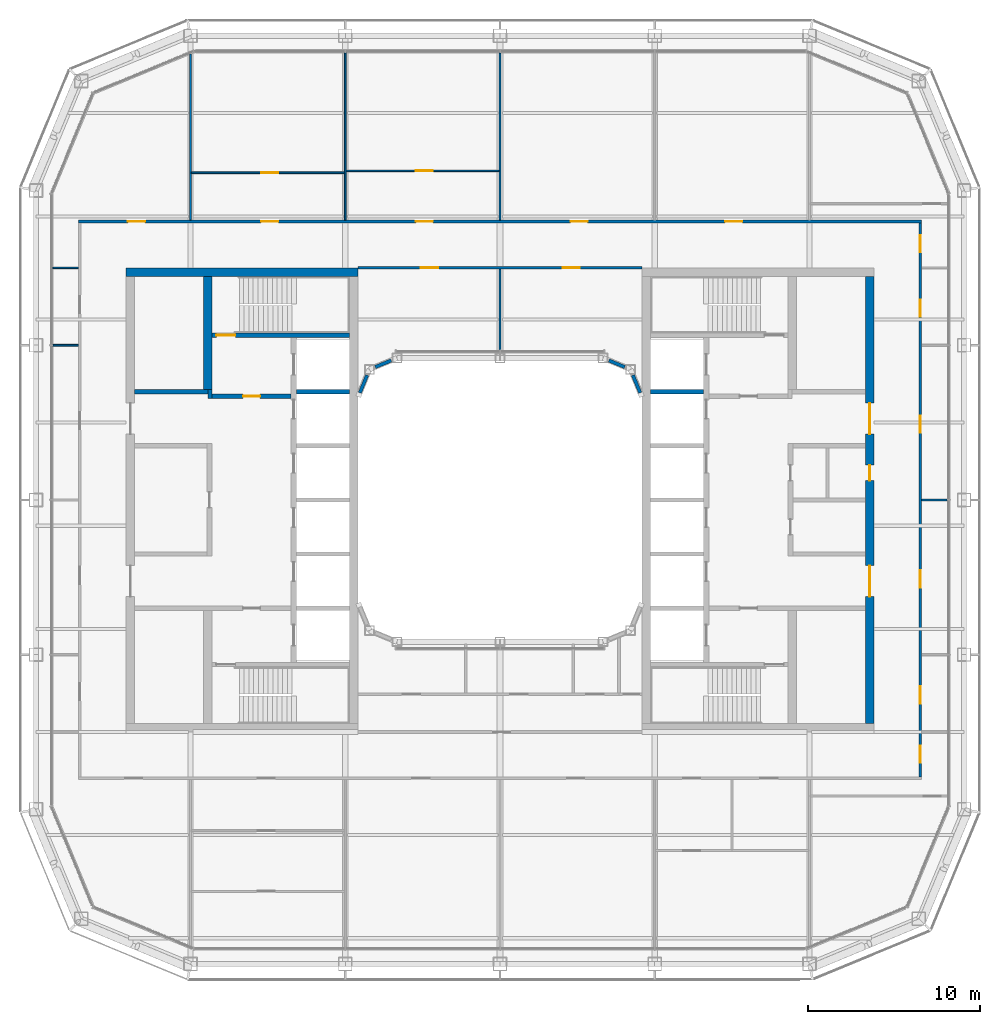
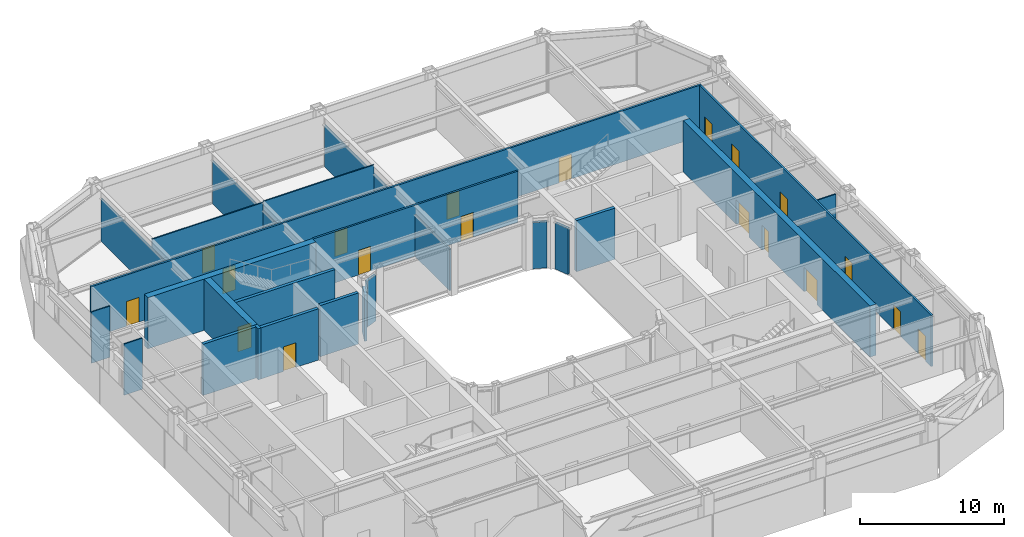
# One storey, part 14 of 19: 25 walls, 20 doors, 20 openings.
"""IFC4 building model written with IfcOpenShell, lengths in metres."""

import ifcopenshell
import ifcopenshell.guid

model = None  # the IFC model being written
_history = None  # IfcOwnerHistory: only IFC2X3 demands one
_inside = {}  # id of a spatial element -> (the spatial element, [elements in it])
_under = {}  # id of a project, library or spatial element -> (it, [spatial elements below it])
_declared = {}  # id of a project -> (the project, [libraries it declares])
_typed = {}  # id of a type object -> (the type object, [elements of that type])
_made_of = {}  # id of a material, layer set ... -> (it, [elements and type objects made of it])


def new_model(schema):
    """Start an empty IFC model of exactly this schema.

    Asked for "IFC4X3", IfcOpenShell would pick the latest addendum, in which some entities
    have other attributes; the version numbers below select the first issue.
    IFC2X3 requires an IfcOwnerHistory on every rooted entity: one is made here for all.
    """
    global model, _history
    if schema == "IFC4X3":
        model = ifcopenshell.file(schema_version=(4, 3, 0, 0))
    else:
        model = ifcopenshell.file(schema=schema)
    _inside.clear()
    _under.clear()
    _declared.clear()
    _typed.clear()
    _made_of.clear()
    _history = None
    if model.schema == "IFC2X3":
        org = make("IfcOrganization", Name="unknown")
        user = make(
            "IfcPersonAndOrganization",
            ThePerson=make("IfcPerson", FamilyName="unknown"),
            TheOrganization=org,
        )
        app = make(
            "IfcApplication",
            ApplicationDeveloper=org,
            Version="unknown",
            ApplicationFullName="unknown",
            ApplicationIdentifier="unknown",
        )
        _history = make(
            "IfcOwnerHistory",
            OwningUser=user,
            OwningApplication=app,
            ChangeAction="ADDED",
            CreationDate=0,
        )
    return model


def make(cls, **values):
    """One entity of the class cls with the attributes given. An attribute that is None is left unset."""
    return model.create_entity(
        cls, **{name: value for name, value in values.items() if value is not None}
    )


def rooted(cls, **values):
    """An entity with a GlobalId (a new one), such as an element, a storey or a relation."""
    return make(cls, GlobalId=ifcopenshell.guid.new(), OwnerHistory=_history, **values)


def si_unit(unit_type, name, prefix=None):
    """IfcSIUnit, for example si_unit("LENGTHUNIT", "METRE", prefix="MILLI")."""
    return make("IfcSIUnit", UnitType=unit_type, Prefix=prefix, Name=name)


def assignment(units):
    """IfcUnitAssignment: the units of a project."""
    return None if units is None else make("IfcUnitAssignment", Units=units)


def point(xyz):
    """IfcCartesianPoint."""
    return None if xyz is None else make("IfcCartesianPoint", Coordinates=xyz)


def direction(xyz):
    """IfcDirection."""
    return None if xyz is None else make("IfcDirection", DirectionRatios=xyz)


def frame(location, z_axis=None, x_axis=None):
    """IfcAxis2Placement3D, a coordinate frame: its origin and axes. An axis left out is left unset."""
    return make(
        "IfcAxis2Placement3D",
        Location=point(location),
        Axis=direction(z_axis),
        RefDirection=direction(x_axis),
    )


def frame_2d(location, x_axis=None):
    """IfcAxis2Placement2D, a coordinate frame in the plane: its origin and x axis."""
    return make(
        "IfcAxis2Placement2D", Location=point(location), RefDirection=direction(x_axis)
    )


def origin():
    """The frame at (0, 0, 0) with its axes left unset."""
    return frame((0.0, 0.0, 0.0))


def place(relative_to, where):
    """IfcLocalPlacement: puts the frame where relative to a parent placement (None: the world)."""
    return make(
        "IfcLocalPlacement", PlacementRelTo=relative_to, RelativePlacement=where
    )


def context(
    kind, dimensions, precision=None, world=None, true_north=None, identifier=None
):
    """IfcGeometricRepresentationContext, for example the 3D "Model" context."""
    return make(
        "IfcGeometricRepresentationContext",
        ContextIdentifier=identifier,
        ContextType=kind,
        CoordinateSpaceDimension=dimensions,
        Precision=precision,
        WorldCoordinateSystem=world,
        TrueNorth=true_north,
    )


def subcontext(parent, identifier, kind, view, scale=None):
    """IfcGeometricRepresentationSubContext, for example "Body" below "Model"."""
    return make(
        "IfcGeometricRepresentationSubContext",
        ContextIdentifier=identifier,
        ContextType=kind,
        ParentContext=parent,
        TargetScale=scale,
        TargetView=view,
    )


def project(units=None, contexts=None):
    """IfcProject with its units and contexts."""
    return rooted(
        "IfcProject",
        Name="project",
        RepresentationContexts=contexts,
        UnitsInContext=assignment(units),
    )


def spatial(cls, under=None, at=None, **own):
    """A site, building, storey or space (cls), placed at a placement, below another one or the project."""
    s = rooted(cls, ObjectPlacement=at, **own)
    if under is not None:
        _under.setdefault(under.id(), (under, []))[1].append(s)
    return s


def profile(cls, at=None, kind="AREA", **sizes):
    """A parametric profile (cls). Its sizes go by their IFC names, for example OverallWidth=200.0."""
    return make(cls, ProfileType=kind, Position=at, **sizes)


def rectangle(**sizes):
    """IfcRectangleProfileDef."""
    return profile("IfcRectangleProfileDef", **sizes)


def extrude(swept, where, along, depth):
    """IfcExtrudedAreaSolid: the profile swept, set in the frame where, extruded along a direction by depth."""
    return make(
        "IfcExtrudedAreaSolid",
        SweptArea=swept,
        Position=where,
        ExtrudedDirection=direction(along),
        Depth=depth,
    )


def shape(context_of_items, identifier, shape_type, items):
    """IfcShapeRepresentation: the items that make up one representation, for example the "Body"."""
    return make(
        "IfcShapeRepresentation",
        ContextOfItems=context_of_items,
        RepresentationIdentifier=identifier,
        RepresentationType=shape_type,
        Items=items,
    )


def material(Name=None, Category=None):
    """IfcMaterial."""
    return make("IfcMaterial", Name=Name, Category=Category)


def layer(
    of_material, thickness, ventilated=None, Name=None, Category=None, Priority=None
):
    """IfcMaterialLayer: one layer of a wall or slab, of a material (None: an air gap)."""
    return make(
        "IfcMaterialLayer",
        Material=of_material,
        LayerThickness=thickness,
        IsVentilated=ventilated,
        Name=Name,
        Category=Category,
        Priority=Priority,
    )


def layer_set(layers, Name=None):
    """IfcMaterialLayerSet."""
    return make("IfcMaterialLayerSet", MaterialLayers=layers, LayerSetName=Name)


def made_of(thing, what):
    """Note that an element or type object is made of a material, layer set ...; save() writes the relation."""
    if what is not None:
        _made_of.setdefault(what.id(), (what, []))[1].append(thing)
    return thing


def type_object(cls, material=None, **own):
    """A type object (cls), such as IfcWallType, which elements share."""
    return made_of(rooted(cls, **own), material)


def element(
    cls,
    number,
    at=None,
    inside=None,
    cuts=None,
    type_object=None,
    material=None,
    context=None,
    identifier="Body",
    shape_type=None,
    held_by="IfcProductDefinitionShape",
    body=None,
    shapes=None,
    **own,
):
    """One element of the class cls, such as IfcWall. Its Tag is "e" and its number.

    at: its placement. inside: the storey or other place that contains it. cuts: it is an
    opening in that element (IfcRelVoidsElement). A single representation is given by context,
    identifier, shape_type and body (its items); several are given by shapes. held_by: the class
    of the entity that holds the representations. save() writes the other relations.
    """
    e = rooted(cls, Tag="e%d" % number, ObjectPlacement=at, **own)
    if body is not None:
        shapes = [shape(context, identifier, shape_type, body)]
    if shapes is not None:
        e.Representation = make(held_by, Representations=shapes)
    if inside is not None:
        _inside.setdefault(inside.id(), (inside, []))[1].append(e)
    if cuts is not None:
        rooted(
            "IfcRelVoidsElement", RelatingBuildingElement=cuts, RelatedOpeningElement=e
        )
    if type_object is not None:
        _typed.setdefault(type_object.id(), (type_object, []))[1].append(e)
    return made_of(e, material)


def fill(opening, filler):
    """IfcRelFillsElement: the door or window that sits in an opening."""
    return rooted(
        "IfcRelFillsElement",
        RelatingOpeningElement=opening,
        RelatedBuildingElement=filler,
    )


def aggregate(whole, parts):
    """IfcRelAggregates: a whole, such as a stair, and the parts it consists of."""
    return rooted("IfcRelAggregates", RelatingObject=whole, RelatedObjects=parts)


def save(model, path):
    """Write the relations noted so far, then the file.

    IfcRelAggregates (storeys below a building ...), IfcRelContainedInSpatialStructure (elements
    in a storey), IfcRelDefinesByType, IfcRelAssociatesMaterial and IfcRelDeclares: one each for
    every whole, place, type object, material and project.
    """
    for whole, parts in _under.values():
        aggregate(whole, parts)
    for where, things in _inside.values():
        rooted(
            "IfcRelContainedInSpatialStructure",
            RelatedElements=things,
            RelatingStructure=where,
        )
    for kind, things in _typed.values():
        rooted("IfcRelDefinesByType", RelatedObjects=things, RelatingType=kind)
    for what, things in _made_of.values():
        rooted("IfcRelAssociatesMaterial", RelatedObjects=things, RelatingMaterial=what)
    for by, libraries in _declared.values():
        rooted("IfcRelDeclares", RelatingContext=by, RelatedDefinitions=libraries)
    model.write(path)


model = new_model("IFC4")

# Units and contexts
model_context = context("Model", 3, precision=1e-05, world=origin(), true_north=direction((0.0, 1.0)))
body_context = subcontext(model_context, "Body", "Model", "MODEL_VIEW")
ifc_project = project(units=[si_unit("LENGTHUNIT", "METRE"), si_unit("AREAUNIT", "SQUARE_METRE"), si_unit("VOLUMEUNIT", "CUBIC_METRE"), si_unit("PLANEANGLEUNIT", "RADIAN"), si_unit("MASSUNIT", "GRAM", prefix="KILO")], contexts=[model_context])

# Site, building, storey
site_placement = place(None, origin())
site = spatial("IfcSite", under=ifc_project, at=site_placement, CompositionType="ELEMENT")
building_placement = place(site_placement, origin())
building = spatial("IfcBuilding", under=site, at=building_placement, Name="Siwar Civic Tower", CompositionType="ELEMENT")
storey_placement = place(building_placement, frame((0.0, 0.0, 264.699951171875)))
storey = spatial("IfcBuildingStorey", under=building, at=storey_placement, Name="L57", CompositionType="ELEMENT", Elevation=264.699951171875)

# Wall, opening, door
ifc_material_1 = material(Name="Concrete C60/75", Category="concrete")
ifc_layer_1 = layer(ifc_material_1, 0.25)
ifc_layer_set_1 = layer_set([ifc_layer_1], Name="Concrete C60/75")
wall_type_1 = type_object("IfcWallType", Name="CORE-WALL-RC250", PredefinedType="SHEAR", material=ifc_layer_set_1)
wall_1_placement = place(storey_placement, frame((-12.14990234375, 6.02490234375, 0.0), z_axis=(0.0, 0.0, 1.0), x_axis=(-1.0, 0.0, 0.0)))
wall_1 = element("IfcWall", 1, at=wall_1_placement, inside=storey, type_object=wall_type_1, Name="Core wall W", PredefinedType="SHEAR", context=body_context, shape_type="SweptSolid", body=[
    extrude(rectangle(XDim=4.60009765625, YDim=0.25, at=frame_2d((2.300048828125, 0.0))), origin(), (0.0, 0.0, 1.0), 4.35009765625),
])
opening_1_placement = place(wall_1_placement, frame((1.800048828125, 0.0, 0.0)))
opening_1 = element("IfcOpeningElement", 2, at=opening_1_placement, cuts=wall_1, Name="Opening L57-CW01", PredefinedType="OPENING", context=body_context, shape_type="SweptSolid", body=[
    extrude(rectangle(XDim=1.0, YDim=2.10009765625, at=frame_2d((0.5, 1.050048828125))), frame((0.0, 0.135009765625, 0.0), z_axis=(0.0, -1.0, 0.0), x_axis=(1.0, 0.0, 0.0)), (0.0, 0.0, 1.0), 0.27001953125),
])
ifc_material_2 = material(Name="Steel door leaf", Category="steel")
door_type_1 = type_object("IfcDoorType", Name="CORE-DOOR-FD30S", OperationType="SINGLE_SWING_LEFT", PredefinedType="DOOR", material=ifc_material_2)
door_1_placement = place(opening_1_placement, origin())
door_1 = element("IfcDoor", 3, at=door_1_placement, inside=storey, type_object=door_type_1, Name="Firefighting lobby door L57-CW01", OperationType="SINGLE_SWING_LEFT", OverallHeight=2.10009765625, OverallWidth=1.0, PredefinedType="DOOR", context=body_context, shape_type="SweptSolid", body=[
    extrude(rectangle(XDim=1.0, YDim=2.10009765625, at=frame_2d((0.5, 1.050048828125))), frame((0.0, 0.02490234375, 0.0), z_axis=(0.0, -1.0, 0.0), x_axis=(1.0, 0.0, 0.0)), (0.0, 0.0, 1.0), 0.050048828125),
])
fill(opening_1, door_1)

# Walls
wall_2_placement = place(storey_placement, frame((-16.875, 5.89990234375, 0.0), z_axis=(0.0, 0.0, 1.0), x_axis=(0.0, 1.0, 0.0)))
element("IfcWall", 4, at=wall_2_placement, inside=storey, type_object=wall_type_1, Name="Core wall W", PredefinedType="SHEAR", context=body_context, shape_type="SweptSolid", body=[
    extrude(rectangle(XDim=0.525146484375, YDim=0.25, at=frame_2d((0.2626953125, 0.0))), origin(), (0.0, 0.0, 1.0), 4.35009765625),
])
wall_3_placement = place(storey_placement, frame((-17.0, 6.300048828125, 0.0), z_axis=(0.0, 0.0, 1.0), x_axis=(-1.0, 0.0, 0.0)))
element("IfcWall", 5, at=wall_3_placement, inside=storey, type_object=wall_type_1, Name="Core wall W", PredefinedType="SHEAR", context=body_context, shape_type="SweptSolid", body=[
    extrude(rectangle(XDim=4.25, YDim=0.25, at=frame_2d((2.125, 0.0))), origin(), (0.0, 0.0, 1.0), 4.35009765625),
])
wall_4_placement = place(storey_placement, frame((-8.75, 6.300048828125, 0.0), z_axis=(0.0, 0.0, 1.0), x_axis=(-1.0, 0.0, 0.0)))
element("IfcWall", 6, at=wall_4_placement, inside=storey, type_object=wall_type_1, Name="Core wall W", PredefinedType="SHEAR", context=body_context, shape_type="SweptSolid", body=[
    extrude(rectangle(XDim=3.10009765625, YDim=0.25, at=frame_2d((1.550048828125, 0.0))), origin(), (0.0, 0.0, 1.0), 4.35009765625),
])

# Wall, opening, door
wall_5_placement = place(storey_placement, frame((-8.75, 9.574951171875, 0.0), z_axis=(0.0, 0.0, 1.0), x_axis=(-1.0, 0.0, 0.0)))
wall_5 = element("IfcWall", 7, at=wall_5_placement, inside=storey, type_object=wall_type_1, Name="Core wall W", PredefinedType="SHEAR", context=body_context, shape_type="SweptSolid", body=[
    extrude(rectangle(XDim=8.0, YDim=0.25, at=frame_2d((4.0, 0.0))), origin(), (0.0, 0.0, 1.0), 4.35009765625),
])
opening_2_placement = place(wall_5_placement, frame((6.64990234375, 0.0, 0.0)))
opening_2 = element("IfcOpeningElement", 8, at=opening_2_placement, cuts=wall_5, Name="Opening L57-CW03", PredefinedType="OPENING", context=body_context, shape_type="SweptSolid", body=[
    extrude(rectangle(XDim=1.10009765625, YDim=2.10009765625, at=frame_2d((0.550048828125, 1.050048828125))), frame((0.0, 0.135009765625, 0.0), z_axis=(0.0, -1.0, 0.0), x_axis=(1.0, 0.0, 0.0)), (0.0, 0.0, 1.0), 0.27001953125),
])
ifc_material_3 = material(Name="Steel door leaf", Category="steel")
door_type_2 = type_object("IfcDoorType", Name="CORE-DOOR-FD60S", OperationType="SINGLE_SWING_LEFT", PredefinedType="DOOR", material=ifc_material_3)
door_2_placement = place(opening_2_placement, origin())
door_2 = element("IfcDoor", 9, at=door_2_placement, inside=storey, type_object=door_type_2, Name="Stair door L57-CW03", OperationType="SINGLE_SWING_RIGHT", OverallHeight=2.10009765625, OverallWidth=1.10009765625, PredefinedType="DOOR", context=body_context, shape_type="SweptSolid", body=[
    extrude(rectangle(XDim=1.10009765625, YDim=2.10009765625, at=frame_2d((0.550048828125, 1.050048828125))), frame((0.0, 0.02490234375, 0.0), z_axis=(0.0, -1.0, 0.0), x_axis=(1.0, 0.0, 0.0)), (0.0, 0.0, 1.0), 0.050048828125),
])
fill(opening_2, door_2)

# Walls
wall_6_placement = place(storey_placement, frame((8.75, 6.300048828125, 0.0), z_axis=(0.0, 0.0, 1.0), x_axis=(1.0, 0.0, 0.0)))
element("IfcWall", 10, at=wall_6_placement, inside=storey, type_object=wall_type_1, Name="Core wall E", PredefinedType="SHEAR", context=body_context, shape_type="SweptSolid", body=[
    extrude(rectangle(XDim=3.10009765625, YDim=0.25, at=frame_2d((1.550048828125, 0.0))), origin(), (0.0, 0.0, 1.0), 4.35009765625),
])
ifc_material_4 = material(Name="Concrete C60/75", Category="concrete")
ifc_layer_2 = layer(ifc_material_4, 0.5)
ifc_layer_set_2 = layer_set([ifc_layer_2], Name="Concrete C60/75")
wall_type_2 = type_object("IfcWallType", Name="CORE-WALL-RC500", PredefinedType="SHEAR", material=ifc_layer_set_2)
wall_7_placement = place(storey_placement, frame((-17.0, 6.425048828125, 0.0), z_axis=(0.0, 0.0, 1.0), x_axis=(0.0, 1.0, 0.0)))
element("IfcWall", 11, at=wall_7_placement, inside=storey, type_object=wall_type_2, Name="Core wall W", PredefinedType="SHEAR", context=body_context, shape_type="SweptSolid", body=[
    extrude(rectangle(XDim=6.574951171875, YDim=0.5, at=frame_2d((3.28759765625, 0.0))), origin(), (0.0, 0.0, 1.0), 4.35009765625),
])
wall_8_placement = place(storey_placement, frame((-8.25, 13.25, 0.0), z_axis=(0.0, 0.0, 1.0), x_axis=(-1.0, 0.0, 0.0)))
element("IfcWall", 12, at=wall_8_placement, inside=storey, type_object=wall_type_2, Name="Core wall W", PredefinedType="SHEAR", context=body_context, shape_type="SweptSolid", body=[
    extrude(rectangle(XDim=13.5, YDim=0.5, at=frame_2d((6.75, 0.0))), origin(), (0.0, 0.0, 1.0), 4.35009765625),
])

# Wall, openings, doors
wall_9_placement = place(storey_placement, frame((21.5, -13.0, 0.0), z_axis=(0.0, 0.0, 1.0), x_axis=(0.0, 1.0, 0.0)))
wall_9 = element("IfcWall", 13, at=wall_9_placement, inside=storey, type_object=wall_type_2, Name="Core wall E", PredefinedType="SHEAR", context=body_context, shape_type="SweptSolid", body=[
    extrude(rectangle(XDim=26.0, YDim=0.5, at=frame_2d((13.0, 0.0))), origin(), (0.0, 0.0, 1.0), 4.35009765625),
])
opening_3_placement = place(wall_9_placement, frame((16.824951171875, 0.0, 0.0)))
opening_3 = element("IfcOpeningElement", 14, at=opening_3_placement, cuts=wall_9, Name="Opening L57-CE05", PredefinedType="OPENING", context=body_context, shape_type="SweptSolid", body=[
    extrude(rectangle(XDim=1.800048828125, YDim=2.10009765625, at=frame_2d((0.89990234375, 1.050048828125))), frame((0.0, 0.260009765625, 0.0), z_axis=(0.0, -1.0, 0.0), x_axis=(1.0, 0.0, 0.0)), (0.0, 0.0, 1.0), 0.52001953125),
])
opening_4_placement = place(wall_9_placement, frame((7.375, 0.0, 0.0)))
opening_4 = element("IfcOpeningElement", 15, at=opening_4_placement, cuts=wall_9, Name="Opening L57-CE06", PredefinedType="OPENING", context=body_context, shape_type="SweptSolid", body=[
    extrude(rectangle(XDim=1.800048828125, YDim=2.10009765625, at=frame_2d((0.89990234375, 1.050048828125))), frame((0.0, 0.260009765625, 0.0), z_axis=(0.0, -1.0, 0.0), x_axis=(1.0, 0.0, 0.0)), (0.0, 0.0, 1.0), 0.52001953125),
])
opening_5_placement = place(wall_9_placement, frame((14.125, 0.0, 0.0)))
opening_5 = element("IfcOpeningElement", 16, at=opening_5_placement, cuts=wall_9, Name="Opening L57-CE15", PredefinedType="OPENING", context=body_context, shape_type="SweptSolid", body=[
    extrude(rectangle(XDim=0.89990234375, YDim=2.10009765625, at=frame_2d((0.449951171875, 1.050048828125))), frame((0.0, 0.260009765625, 0.0), z_axis=(0.0, -1.0, 0.0), x_axis=(1.0, 0.0, 0.0)), (0.0, 0.0, 1.0), 0.52001953125),
])
ifc_material_5 = material(Name="Steel door leaf", Category="steel")
door_type_3 = type_object("IfcDoorType", Name="CORE-DOOR-PORT", OperationType="DOUBLE_DOOR_DOUBLE_SWING", PredefinedType="DOOR", material=ifc_material_5)
door_3_placement = place(opening_3_placement, origin())
door_3 = element("IfcDoor", 17, at=door_3_placement, inside=storey, type_object=door_type_3, Name="Core entrance door L57-CE05", OperationType="DOUBLE_DOOR_DOUBLE_SWING", OverallHeight=2.10009765625, OverallWidth=1.800048828125, PredefinedType="DOOR", context=body_context, shape_type="SweptSolid", body=[
    extrude(rectangle(XDim=1.800048828125, YDim=2.10009765625, at=frame_2d((0.89990234375, 1.050048828125))), frame((0.0, 0.02490234375, 0.0), z_axis=(0.0, -1.0, 0.0), x_axis=(1.0, 0.0, 0.0)), (0.0, 0.0, 1.0), 0.050048828125),
])
fill(opening_3, door_3)
door_4_placement = place(opening_4_placement, origin())
door_4 = element("IfcDoor", 18, at=door_4_placement, inside=storey, type_object=door_type_3, Name="Core entrance door L57-CE06", OperationType="DOUBLE_DOOR_DOUBLE_SWING", OverallHeight=2.10009765625, OverallWidth=1.800048828125, PredefinedType="DOOR", context=body_context, shape_type="SweptSolid", body=[
    extrude(rectangle(XDim=1.800048828125, YDim=2.10009765625, at=frame_2d((0.89990234375, 1.050048828125))), frame((0.0, 0.02490234375, 0.0), z_axis=(0.0, -1.0, 0.0), x_axis=(1.0, 0.0, 0.0)), (0.0, 0.0, 1.0), 0.050048828125),
])
fill(opening_4, door_4)
ifc_material_6 = material(Name="Steel door leaf", Category="steel")
door_type_4 = type_object("IfcDoorType", Name="CORE-DOOR-ROOM", OperationType="SINGLE_SWING_LEFT", PredefinedType="DOOR", material=ifc_material_6)
door_5_placement = place(opening_5_placement, origin())
door_5 = element("IfcDoor", 19, at=door_5_placement, inside=storey, type_object=door_type_4, Name="Core room door L57-CE15", OperationType="SINGLE_SWING_RIGHT", OverallHeight=2.10009765625, OverallWidth=0.89990234375, PredefinedType="DOOR", context=body_context, shape_type="SweptSolid", body=[
    extrude(rectangle(XDim=0.89990234375, YDim=2.10009765625, at=frame_2d((0.449951171875, 1.050048828125))), frame((0.0, 0.02490234375, 0.0), z_axis=(0.0, -1.0, 0.0), x_axis=(1.0, 0.0, 0.0)), (0.0, 0.0, 1.0), 0.050048828125),
])
fill(opening_5, door_5)

ifc_material_7 = material(Name="Gypsum board on steel studs", Category="steel")
ifc_layer_3 = layer(ifc_material_7, 0.14990234375)
ifc_layer_set_3 = layer_set([ifc_layer_3], Name="Gypsum board on steel studs")
wall_type_3 = type_object("IfcWallType", Name="CORRIDOR PARTITION 150 EI 30", PredefinedType="PARTITIONING", material=ifc_layer_set_3)
wall_10_placement = place(storey_placement, frame((-8.25, 13.5, 0.0), z_axis=(0.0, 0.0, 1.0), x_axis=(1.0, 0.0, 0.0)))
wall_10 = element("IfcWall", 20, at=wall_10_placement, inside=storey, type_object=wall_type_3, Name="L57/wall/P19", PredefinedType="PARTITIONING", context=body_context, shape_type="SweptSolid", body=[
    extrude(rectangle(XDim=16.5, YDim=0.14990234375, at=frame_2d((8.25, 0.0))), origin(), (0.0, 0.0, 1.0), 4.35009765625),
])
opening_6_placement = place(wall_10_placement, frame((3.64990234375, 0.0, 0.0)))
opening_6 = element("IfcOpeningElement", 21, at=opening_6_placement, cuts=wall_10, Name="Opening D1", PredefinedType="OPENING", context=body_context, shape_type="SweptSolid", body=[
    extrude(rectangle(XDim=1.0, YDim=2.10009765625, at=frame_2d((0.5, 1.050048828125))), frame((0.0, 0.0849609375, 0.0), z_axis=(0.0, -1.0, 0.0), x_axis=(1.0, 0.0, 0.0)), (0.0, 0.0, 1.0), 0.169921875),
])
opening_7_placement = place(wall_10_placement, frame((11.89990234375, 0.0, 0.0)))
opening_7 = element("IfcOpeningElement", 22, at=opening_7_placement, cuts=wall_10, Name="Opening D1", PredefinedType="OPENING", context=body_context, shape_type="SweptSolid", body=[
    extrude(rectangle(XDim=1.0, YDim=2.10009765625, at=frame_2d((0.5, 1.050048828125))), frame((0.0, 0.0849609375, 0.0), z_axis=(0.0, -1.0, 0.0), x_axis=(1.0, 0.0, 0.0)), (0.0, 0.0, 1.0), 0.169921875),
])
ifc_material_8 = material(Name="Timber, painted", Category="wood")
door_type_5 = type_object("IfcDoorType", Name="DOOR 1000 X 2100 FD30", OperationType="SINGLE_SWING_LEFT", PredefinedType="DOOR", material=ifc_material_8)
door_6_placement = place(opening_6_placement, origin())
door_6 = element("IfcDoor", 23, at=door_6_placement, inside=storey, type_object=door_type_5, Name="L57-D29", OperationType="SINGLE_SWING_LEFT", OverallHeight=2.10009765625, OverallWidth=1.0, PredefinedType="DOOR", context=body_context, shape_type="SweptSolid", body=[
    extrude(rectangle(XDim=1.0, YDim=2.10009765625, at=frame_2d((0.5, 1.050048828125))), frame((0.0, 0.02490234375, 0.0), z_axis=(0.0, -1.0, 0.0), x_axis=(1.0, 0.0, 0.0)), (0.0, 0.0, 1.0), 0.050048828125),
])
fill(opening_6, door_6)
door_7_placement = place(opening_7_placement, origin())
door_7 = element("IfcDoor", 24, at=door_7_placement, inside=storey, type_object=door_type_5, Name="L57-D30", OperationType="SINGLE_SWING_RIGHT", OverallHeight=2.10009765625, OverallWidth=1.0, PredefinedType="DOOR", context=body_context, shape_type="SweptSolid", body=[
    extrude(rectangle(XDim=1.0, YDim=2.10009765625, at=frame_2d((0.5, 1.050048828125))), frame((0.0, 0.02490234375, 0.0), z_axis=(0.0, -1.0, 0.0), x_axis=(1.0, 0.0, 0.0)), (0.0, 0.0, 1.0), 0.050048828125),
])
fill(opening_7, door_7)

wall_11_placement = place(storey_placement, frame((-24.52490234375, 16.199951171875, 0.0), z_axis=(0.0, 0.0, 1.0), x_axis=(1.0, 0.0, 0.0)))
wall_11 = element("IfcWall", 25, at=wall_11_placement, inside=storey, type_object=wall_type_3, Name="L57/wall/P20", PredefinedType="PARTITIONING", context=body_context, shape_type="SweptSolid", body=[
    extrude(rectangle(XDim=49.0498046875, YDim=0.14990234375, at=frame_2d((24.52490234375, 0.0))), origin(), (0.0, 0.0, 1.0), 4.35009765625),
])
opening_8_placement = place(wall_11_placement, frame((10.625, 0.0, 0.0)))
opening_8 = element("IfcOpeningElement", 26, at=opening_8_placement, cuts=wall_11, Name="Opening D1", PredefinedType="OPENING", context=body_context, shape_type="SweptSolid", body=[
    extrude(rectangle(XDim=1.0, YDim=2.10009765625, at=frame_2d((0.5, 1.050048828125))), frame((0.0, 0.0849609375, 0.0), z_axis=(0.0, -1.0, 0.0), x_axis=(1.0, 0.0, 0.0)), (0.0, 0.0, 1.0), 0.169921875),
])
opening_9_placement = place(wall_11_placement, frame((19.625, 0.0, 0.0)))
opening_9 = element("IfcOpeningElement", 27, at=opening_9_placement, cuts=wall_11, Name="Opening D1", PredefinedType="OPENING", context=body_context, shape_type="SweptSolid", body=[
    extrude(rectangle(XDim=1.0, YDim=2.10009765625, at=frame_2d((0.5, 1.050048828125))), frame((0.0, 0.0849609375, 0.0), z_axis=(0.0, -1.0, 0.0), x_axis=(1.0, 0.0, 0.0)), (0.0, 0.0, 1.0), 0.169921875),
])
opening_10_placement = place(wall_11_placement, frame((28.625, 0.0, 0.0)))
opening_10 = element("IfcOpeningElement", 28, at=opening_10_placement, cuts=wall_11, Name="Opening D1", PredefinedType="OPENING", context=body_context, shape_type="SweptSolid", body=[
    extrude(rectangle(XDim=1.0, YDim=2.10009765625, at=frame_2d((0.5, 1.050048828125))), frame((0.0, 0.0849609375, 0.0), z_axis=(0.0, -1.0, 0.0), x_axis=(1.0, 0.0, 0.0)), (0.0, 0.0, 1.0), 0.169921875),
])
opening_11_placement = place(wall_11_placement, frame((37.625, 0.0, 0.0)))
opening_11 = element("IfcOpeningElement", 29, at=opening_11_placement, cuts=wall_11, Name="Opening D1", PredefinedType="OPENING", context=body_context, shape_type="SweptSolid", body=[
    extrude(rectangle(XDim=1.0, YDim=2.10009765625, at=frame_2d((0.5, 1.050048828125))), frame((0.0, 0.0849609375, 0.0), z_axis=(0.0, -1.0, 0.0), x_axis=(1.0, 0.0, 0.0)), (0.0, 0.0, 1.0), 0.169921875),
])
opening_12_placement = place(wall_11_placement, frame((2.875, 0.0, 0.0)))
opening_12 = element("IfcOpeningElement", 30, at=opening_12_placement, cuts=wall_11, Name="Opening D1", PredefinedType="OPENING", context=body_context, shape_type="SweptSolid", body=[
    extrude(rectangle(XDim=1.0, YDim=2.10009765625, at=frame_2d((0.5, 1.050048828125))), frame((0.0, 0.0849609375, 0.0), z_axis=(0.0, -1.0, 0.0), x_axis=(1.0, 0.0, 0.0)), (0.0, 0.0, 1.0), 0.169921875),
])
door_8_placement = place(opening_8_placement, origin())
door_8 = element("IfcDoor", 31, at=door_8_placement, inside=storey, type_object=door_type_5, Name="L57-D01", OperationType="SINGLE_SWING_LEFT", OverallHeight=2.10009765625, OverallWidth=1.0, PredefinedType="DOOR", context=body_context, shape_type="SweptSolid", body=[
    extrude(rectangle(XDim=1.0, YDim=2.10009765625, at=frame_2d((0.5, 1.050048828125))), frame((0.0, 0.02490234375, 0.0), z_axis=(0.0, -1.0, 0.0), x_axis=(1.0, 0.0, 0.0)), (0.0, 0.0, 1.0), 0.050048828125),
])
fill(opening_8, door_8)
door_9_placement = place(opening_9_placement, origin())
door_9 = element("IfcDoor", 32, at=door_9_placement, inside=storey, type_object=door_type_5, Name="L57-D03", OperationType="SINGLE_SWING_LEFT", OverallHeight=2.10009765625, OverallWidth=1.0, PredefinedType="DOOR", context=body_context, shape_type="SweptSolid", body=[
    extrude(rectangle(XDim=1.0, YDim=2.10009765625, at=frame_2d((0.5, 1.050048828125))), frame((0.0, 0.02490234375, 0.0), z_axis=(0.0, -1.0, 0.0), x_axis=(1.0, 0.0, 0.0)), (0.0, 0.0, 1.0), 0.050048828125),
])
fill(opening_9, door_9)
door_10_placement = place(opening_10_placement, origin())
door_10 = element("IfcDoor", 33, at=door_10_placement, inside=storey, type_object=door_type_5, Name="L57-D05", OperationType="SINGLE_SWING_LEFT", OverallHeight=2.10009765625, OverallWidth=1.0, PredefinedType="DOOR", context=body_context, shape_type="SweptSolid", body=[
    extrude(rectangle(XDim=1.0, YDim=2.10009765625, at=frame_2d((0.5, 1.050048828125))), frame((0.0, 0.02490234375, 0.0), z_axis=(0.0, -1.0, 0.0), x_axis=(1.0, 0.0, 0.0)), (0.0, 0.0, 1.0), 0.050048828125),
])
fill(opening_10, door_10)
door_11_placement = place(opening_11_placement, origin())
door_11 = element("IfcDoor", 34, at=door_11_placement, inside=storey, type_object=door_type_5, Name="L57-D06", OperationType="SINGLE_SWING_RIGHT", OverallHeight=2.10009765625, OverallWidth=1.0, PredefinedType="DOOR", context=body_context, shape_type="SweptSolid", body=[
    extrude(rectangle(XDim=1.0, YDim=2.10009765625, at=frame_2d((0.5, 1.050048828125))), frame((0.0, 0.02490234375, 0.0), z_axis=(0.0, -1.0, 0.0), x_axis=(1.0, 0.0, 0.0)), (0.0, 0.0, 1.0), 0.050048828125),
])
fill(opening_11, door_11)
door_12_placement = place(opening_12_placement, origin())
door_12 = element("IfcDoor", 35, at=door_12_placement, inside=storey, type_object=door_type_5, Name="L57-D15", OperationType="SINGLE_SWING_LEFT", OverallHeight=2.10009765625, OverallWidth=1.0, PredefinedType="DOOR", context=body_context, shape_type="SweptSolid", body=[
    extrude(rectangle(XDim=1.0, YDim=2.10009765625, at=frame_2d((0.5, 1.050048828125))), frame((0.0, 0.02490234375, 0.0), z_axis=(0.0, -1.0, 0.0), x_axis=(1.0, 0.0, 0.0)), (0.0, 0.0, 1.0), 0.050048828125),
])
fill(opening_12, door_12)

wall_12_placement = place(storey_placement, frame((24.449951171875, -16.125, 0.0), z_axis=(0.0, 0.0, 1.0), x_axis=(0.0, 1.0, 0.0)))
wall_12 = element("IfcWall", 36, at=wall_12_placement, inside=storey, type_object=wall_type_3, Name="L57/wall/P40", PredefinedType="PARTITIONING", context=body_context, shape_type="SweptSolid", body=[
    extrude(rectangle(XDim=32.25, YDim=0.14990234375, at=frame_2d((16.125, 0.0))), origin(), (0.0, 0.0, 1.0), 4.35009765625),
])
opening_13_placement = place(wall_12_placement, frame((30.52490234375, 0.0, 0.0)))
opening_13 = element("IfcOpeningElement", 37, at=opening_13_placement, cuts=wall_12, Name="Opening D1", PredefinedType="OPENING", context=body_context, shape_type="SweptSolid", body=[
    extrude(rectangle(XDim=1.0, YDim=2.10009765625, at=frame_2d((0.5, 1.050048828125))), frame((0.0, 0.0849609375, 0.0), z_axis=(0.0, -1.0, 0.0), x_axis=(1.0, 0.0, 0.0)), (0.0, 0.0, 1.0), 0.169921875),
])
opening_14_placement = place(wall_12_placement, frame((0.824951171875, 0.0, 0.0)))
opening_14 = element("IfcOpeningElement", 38, at=opening_14_placement, cuts=wall_12, Name="Opening D1", PredefinedType="OPENING", context=body_context, shape_type="SweptSolid", body=[
    extrude(rectangle(XDim=1.0, YDim=2.10009765625, at=frame_2d((0.5, 1.050048828125))), frame((0.0, 0.0849609375, 0.0), z_axis=(0.0, -1.0, 0.0), x_axis=(1.0, 0.0, 0.0)), (0.0, 0.0, 1.0), 0.169921875),
])
opening_15_placement = place(wall_12_placement, frame((4.27490234375, 0.0, 0.0)))
opening_15 = element("IfcOpeningElement", 39, at=opening_15_placement, cuts=wall_12, Name="Opening D1", PredefinedType="OPENING", context=body_context, shape_type="SweptSolid", body=[
    extrude(rectangle(XDim=1.0, YDim=2.10009765625, at=frame_2d((0.5, 1.050048828125))), frame((0.0, 0.0849609375, 0.0), z_axis=(0.0, -1.0, 0.0), x_axis=(1.0, 0.0, 0.0)), (0.0, 0.0, 1.0), 0.169921875),
])
opening_16_placement = place(wall_12_placement, frame((11.02490234375, 0.0, 0.0)))
opening_16 = element("IfcOpeningElement", 40, at=opening_16_placement, cuts=wall_12, Name="Opening D1", PredefinedType="OPENING", context=body_context, shape_type="SweptSolid", body=[
    extrude(rectangle(XDim=1.0, YDim=2.10009765625, at=frame_2d((0.5, 1.050048828125))), frame((0.0, 0.0849609375, 0.0), z_axis=(0.0, -1.0, 0.0), x_axis=(1.0, 0.0, 0.0)), (0.0, 0.0, 1.0), 0.169921875),
])
opening_17_placement = place(wall_12_placement, frame((20.02490234375, 0.0, 0.0)))
opening_17 = element("IfcOpeningElement", 41, at=opening_17_placement, cuts=wall_12, Name="Opening D1", PredefinedType="OPENING", context=body_context, shape_type="SweptSolid", body=[
    extrude(rectangle(XDim=1.0, YDim=2.10009765625, at=frame_2d((0.5, 1.050048828125))), frame((0.0, 0.0849609375, 0.0), z_axis=(0.0, -1.0, 0.0), x_axis=(1.0, 0.0, 0.0)), (0.0, 0.0, 1.0), 0.169921875),
])
opening_18_placement = place(wall_12_placement, frame((26.77490234375, 0.0, 0.0)))
opening_18 = element("IfcOpeningElement", 42, at=opening_18_placement, cuts=wall_12, Name="Opening D1", PredefinedType="OPENING", context=body_context, shape_type="SweptSolid", body=[
    extrude(rectangle(XDim=1.0, YDim=2.10009765625, at=frame_2d((0.5, 1.050048828125))), frame((0.0, 0.0849609375, 0.0), z_axis=(0.0, -1.0, 0.0), x_axis=(1.0, 0.0, 0.0)), (0.0, 0.0, 1.0), 0.169921875),
])
door_13_placement = place(opening_13_placement, origin())
door_13 = element("IfcDoor", 43, at=door_13_placement, inside=storey, type_object=door_type_5, Name="L57-D16", OperationType="SINGLE_SWING_RIGHT", OverallHeight=2.10009765625, OverallWidth=1.0, PredefinedType="DOOR", context=body_context, shape_type="SweptSolid", body=[
    extrude(rectangle(XDim=1.0, YDim=2.10009765625, at=frame_2d((0.5, 1.050048828125))), frame((0.0, 0.02490234375, 0.0), z_axis=(0.0, -1.0, 0.0), x_axis=(1.0, 0.0, 0.0)), (0.0, 0.0, 1.0), 0.050048828125),
])
fill(opening_13, door_13)
door_14_placement = place(opening_14_placement, origin())
door_14 = element("IfcDoor", 44, at=door_14_placement, inside=storey, type_object=door_type_5, Name="L57-D19", OperationType="SINGLE_SWING_LEFT", OverallHeight=2.10009765625, OverallWidth=1.0, PredefinedType="DOOR", context=body_context, shape_type="SweptSolid", body=[
    extrude(rectangle(XDim=1.0, YDim=2.10009765625, at=frame_2d((0.5, 1.050048828125))), frame((0.0, 0.02490234375, 0.0), z_axis=(0.0, -1.0, 0.0), x_axis=(1.0, 0.0, 0.0)), (0.0, 0.0, 1.0), 0.050048828125),
])
fill(opening_14, door_14)
door_15_placement = place(opening_15_placement, origin())
door_15 = element("IfcDoor", 45, at=door_15_placement, inside=storey, type_object=door_type_5, Name="L57-D25", OperationType="SINGLE_SWING_LEFT", OverallHeight=2.10009765625, OverallWidth=1.0, PredefinedType="DOOR", context=body_context, shape_type="SweptSolid", body=[
    extrude(rectangle(XDim=1.0, YDim=2.10009765625, at=frame_2d((0.5, 1.050048828125))), frame((0.0, 0.02490234375, 0.0), z_axis=(0.0, -1.0, 0.0), x_axis=(1.0, 0.0, 0.0)), (0.0, 0.0, 1.0), 0.050048828125),
])
fill(opening_15, door_15)
door_16_placement = place(opening_16_placement, origin())
door_16 = element("IfcDoor", 46, at=door_16_placement, inside=storey, type_object=door_type_5, Name="L57-D26", OperationType="SINGLE_SWING_RIGHT", OverallHeight=2.10009765625, OverallWidth=1.0, PredefinedType="DOOR", context=body_context, shape_type="SweptSolid", body=[
    extrude(rectangle(XDim=1.0, YDim=2.10009765625, at=frame_2d((0.5, 1.050048828125))), frame((0.0, 0.02490234375, 0.0), z_axis=(0.0, -1.0, 0.0), x_axis=(1.0, 0.0, 0.0)), (0.0, 0.0, 1.0), 0.050048828125),
])
fill(opening_16, door_16)
door_17_placement = place(opening_17_placement, origin())
door_17 = element("IfcDoor", 47, at=door_17_placement, inside=storey, type_object=door_type_5, Name="L57-D27", OperationType="SINGLE_SWING_LEFT", OverallHeight=2.10009765625, OverallWidth=1.0, PredefinedType="DOOR", context=body_context, shape_type="SweptSolid", body=[
    extrude(rectangle(XDim=1.0, YDim=2.10009765625, at=frame_2d((0.5, 1.050048828125))), frame((0.0, 0.02490234375, 0.0), z_axis=(0.0, -1.0, 0.0), x_axis=(1.0, 0.0, 0.0)), (0.0, 0.0, 1.0), 0.050048828125),
])
fill(opening_17, door_17)
door_18_placement = place(opening_18_placement, origin())
door_18 = element("IfcDoor", 48, at=door_18_placement, inside=storey, type_object=door_type_5, Name="L57-D28", OperationType="SINGLE_SWING_RIGHT", OverallHeight=2.10009765625, OverallWidth=1.0, PredefinedType="DOOR", context=body_context, shape_type="SweptSolid", body=[
    extrude(rectangle(XDim=1.0, YDim=2.10009765625, at=frame_2d((0.5, 1.050048828125))), frame((0.0, 0.02490234375, 0.0), z_axis=(0.0, -1.0, 0.0), x_axis=(1.0, 0.0, 0.0)), (0.0, 0.0, 1.0), 0.050048828125),
])
fill(opening_18, door_18)

# Walls
ifc_material_9 = material(Name="Aluminium clad insulated panel", Category="aluminium")
ifc_layer_4 = layer(ifc_material_9, 0.199951171875)
ifc_layer_set_4 = layer_set([ifc_layer_4], Name="Aluminium clad insulated panel")
wall_type_4 = type_object("IfcWallType", Name="ENV-WALL-WELL", PredefinedType="STANDARD", material=ifc_layer_set_4)
wall_13_placement = place(storey_placement, frame((8.154296875, 6.23095703125, 0.0), z_axis=(0.0, 0.0, 1.0), x_axis=(-0.382635994082, 0.923899180665, 0.0)))
element("IfcWall", 49, at=wall_13_placement, inside=storey, type_object=wall_type_4, Name="Light well corner wall NE1", PredefinedType="STANDARD", context=body_context, shape_type="SweptSolid", body=[
    extrude(rectangle(XDim=1.11279296875, YDim=0.199951171875, at=frame_2d((0.556396484375, 0.0))), origin(), (0.0, 0.0, 1.0), 3.91796875),
])
for number, where, z_axis, x_axis, name in (
    (50, (7.259033203125, 7.728515625, 0.0), (0.0, 0.0, 1.0), (-0.923859650767, 0.382731427616, 0.0), "Light well corner wall NE2"),
    (51, (-6.33203125, 8.112548828125, 0.0), (0.0, 0.0, 1.0), (-0.923859650767, -0.382731427616, 0.0), "Light well corner wall NW1"),
):
    element("IfcWall", number, at=place(storey_placement, frame(where, z_axis=z_axis, x_axis=x_axis)), inside=storey, type_object=wall_type_4, Name=name, PredefinedType="STANDARD", context=body_context, shape_type="SweptSolid", body=[
        extrude(rectangle(XDim=1.00341796875, YDim=0.199951171875, at=frame_2d((0.501708984375, 0.0))), origin(), (0.0, 0.0, 1.0), 3.91796875),
    ])
wall_14_placement = place(storey_placement, frame((-7.728515625, 7.259033203125, 0.0), z_axis=(0.0, 0.0, 1.0), x_axis=(-0.382635994082, -0.923899180665, 0.0)))
element("IfcWall", 52, at=wall_14_placement, inside=storey, type_object=wall_type_4, Name="Light well corner wall NW2", PredefinedType="STANDARD", context=body_context, shape_type="SweptSolid", body=[
    extrude(rectangle(XDim=1.11279296875, YDim=0.199951171875, at=frame_2d((0.556396484375, 0.0))), origin(), (0.0, 0.0, 1.0), 3.91796875),
])
ifc_material_10 = material(Name="Gypsum board on steel studs", Category="steel")
ifc_layer_5 = layer(ifc_material_10, 0.10009765625)
ifc_layer_set_5 = layer_set([ifc_layer_5], Name="Gypsum board on steel studs")
wall_type_5 = type_object("IfcWallType", Name="PARTITION 100 GYPSUM", PredefinedType="PARTITIONING", material=ifc_layer_set_5)
for number, where, z_axis, x_axis, name in (
    (53, (24.52490234375, 0.0, 0.0), (0.0, 0.0, 1.0), (1.0, 0.0, 0.0), "L57/wall/P14"),
    (54, (-26.010009765625, 9.0, 0.0), (0.0, 0.0, 1.0), (1.0, 0.0, 0.0), "L57/wall/P15"),
    (55, (-26.010009765625, 13.5, 0.0), (0.0, 0.0, 1.0), (1.0, 0.0, 0.0), "L57/wall/P17"),
):
    element("IfcWall", number, at=place(storey_placement, frame(where, z_axis=z_axis, x_axis=x_axis)), inside=storey, type_object=wall_type_5, Name=name, PredefinedType="PARTITIONING", context=body_context, shape_type="SweptSolid", body=[
        extrude(rectangle(XDim=1.485107421875, YDim=0.10009765625, at=frame_2d((0.74267578125, 0.0))), origin(), (0.0, 0.0, 1.0), 4.35009765625),
    ])

# Wall, opening, door
wall_15_placement = place(storey_placement, frame((-17.949951171875, 19.0400390625, 0.0), z_axis=(0.0, 0.0, 1.0), x_axis=(1.0, 0.0, 0.0)))
wall_15 = element("IfcWall", 56, at=wall_15_placement, inside=storey, type_object=wall_type_5, Name="L57/wall/P22", PredefinedType="PARTITIONING", context=body_context, shape_type="SweptSolid", body=[
    extrude(rectangle(XDim=8.89990234375, YDim=0.10009765625, at=frame_2d((4.449951171875, 0.0))), origin(), (0.0, 0.0, 1.0), 4.35009765625),
])
opening_19_placement = place(wall_15_placement, frame((4.050048828125, 0.0, 0.0)))
opening_19 = element("IfcOpeningElement", 57, at=opening_19_placement, cuts=wall_15, Name="Opening D2", PredefinedType="OPENING", context=body_context, shape_type="SweptSolid", body=[
    extrude(rectangle(XDim=1.0, YDim=2.10009765625, at=frame_2d((0.5, 1.050048828125))), frame((0.0, 0.06005859375, 0.0), z_axis=(0.0, -1.0, 0.0), x_axis=(1.0, 0.0, 0.0)), (0.0, 0.0, 1.0), 0.1201171875),
])
ifc_material_11 = material(Name="Timber, painted", Category="wood")
door_type_6 = type_object("IfcDoorType", Name="DOOR 1000 X 2100", OperationType="SINGLE_SWING_LEFT", PredefinedType="DOOR", material=ifc_material_11)
door_19_placement = place(opening_19_placement, origin())
door_19 = element("IfcDoor", 58, at=door_19_placement, inside=storey, type_object=door_type_6, Name="L57-D02", OperationType="SINGLE_SWING_RIGHT", OverallHeight=2.10009765625, OverallWidth=1.0, PredefinedType="DOOR", context=body_context, shape_type="SweptSolid", body=[
    extrude(rectangle(XDim=1.0, YDim=2.10009765625, at=frame_2d((0.5, 1.050048828125))), frame((0.0, 0.02490234375, 0.0), z_axis=(0.0, -1.0, 0.0), x_axis=(1.0, 0.0, 0.0)), (0.0, 0.0, 1.0), 0.050048828125),
])
fill(opening_19, door_19)

wall_16_placement = place(storey_placement, frame((-8.949951171875, 19.14306640625, 0.0), z_axis=(0.0, 0.0, 1.0), x_axis=(1.0, 0.0, 0.0)))
wall_16 = element("IfcWall", 59, at=wall_16_placement, inside=storey, type_object=wall_type_5, Name="L57/wall/P23", PredefinedType="PARTITIONING", context=body_context, shape_type="SweptSolid", body=[
    extrude(rectangle(XDim=8.89990234375, YDim=0.10009765625, at=frame_2d((4.449951171875, 0.0))), origin(), (0.0, 0.0, 1.0), 4.35009765625),
])
opening_20_placement = place(wall_16_placement, frame((4.050048828125, 0.0, 0.0)))
opening_20 = element("IfcOpeningElement", 60, at=opening_20_placement, cuts=wall_16, Name="Opening D2", PredefinedType="OPENING", context=body_context, shape_type="SweptSolid", body=[
    extrude(rectangle(XDim=1.0, YDim=2.10009765625, at=frame_2d((0.5, 1.050048828125))), frame((0.0, 0.06005859375, 0.0), z_axis=(0.0, -1.0, 0.0), x_axis=(1.0, 0.0, 0.0)), (0.0, 0.0, 1.0), 0.1201171875),
])
door_20_placement = place(opening_20_placement, origin())
door_20 = element("IfcDoor", 61, at=door_20_placement, inside=storey, type_object=door_type_6, Name="L57-D04", OperationType="SINGLE_SWING_RIGHT", OverallHeight=2.10009765625, OverallWidth=1.0, PredefinedType="DOOR", context=body_context, shape_type="SweptSolid", body=[
    extrude(rectangle(XDim=1.0, YDim=2.10009765625, at=frame_2d((0.5, 1.050048828125))), frame((0.0, 0.02490234375, 0.0), z_axis=(0.0, -1.0, 0.0), x_axis=(1.0, 0.0, 0.0)), (0.0, 0.0, 1.0), 0.050048828125),
])
fill(opening_20, door_20)

# Walls
wall_17_placement = place(storey_placement, frame((-18.0, 16.27490234375, 0.0), z_axis=(0.0, 0.0, 1.0), x_axis=(0.0, 1.0, 0.0)))
element("IfcWall", 62, at=wall_17_placement, inside=storey, type_object=wall_type_5, Name="L57/wall/P26", PredefinedType="PARTITIONING", context=body_context, shape_type="SweptSolid", body=[
    extrude(rectangle(XDim=9.653076171875, YDim=0.10009765625, at=frame_2d((4.82666015625, 0.0))), origin(), (0.0, 0.0, 1.0), 3.650146484375),
])
wall_18_placement = place(storey_placement, frame((-9.0, 16.27490234375, 0.0), z_axis=(0.0, 0.0, 1.0), x_axis=(0.0, 1.0, 0.0)))
element("IfcWall", 63, at=wall_18_placement, inside=storey, type_object=wall_type_5, Name="L57/wall/P28", PredefinedType="PARTITIONING", context=body_context, shape_type="SweptSolid", body=[
    extrude(rectangle(XDim=9.735107421875, YDim=0.10009765625, at=frame_2d((4.86767578125, 0.0))), origin(), (0.0, 0.0, 1.0), 3.650146484375),
])
wall_19_placement = place(storey_placement, frame((0.0, 8.60009765625, 0.0), z_axis=(0.0, 0.0, 1.0), x_axis=(0.0, 1.0, 0.0)))
element("IfcWall", 64, at=wall_19_placement, inside=storey, type_object=wall_type_5, Name="L57/wall/P31", PredefinedType="PARTITIONING", context=body_context, shape_type="SweptSolid", body=[
    extrude(rectangle(XDim=4.824951171875, YDim=0.10009765625, at=frame_2d((2.41259765625, 0.0))), origin(), (0.0, 0.0, 1.0), 3.550048828125),
])
wall_20_placement = place(storey_placement, frame((0.0, 16.27490234375, 0.0), z_axis=(0.0, 0.0, 1.0), x_axis=(0.0, 1.0, 0.0)))
element("IfcWall", 65, at=wall_20_placement, inside=storey, type_object=wall_type_5, Name="L57/wall/P32", PredefinedType="PARTITIONING", context=body_context, shape_type="SweptSolid", body=[
    extrude(rectangle(XDim=9.735107421875, YDim=0.10009765625, at=frame_2d((4.86767578125, 0.0))), origin(), (0.0, 0.0, 1.0), 3.550048828125),
])

save(model, "model.ifc")
